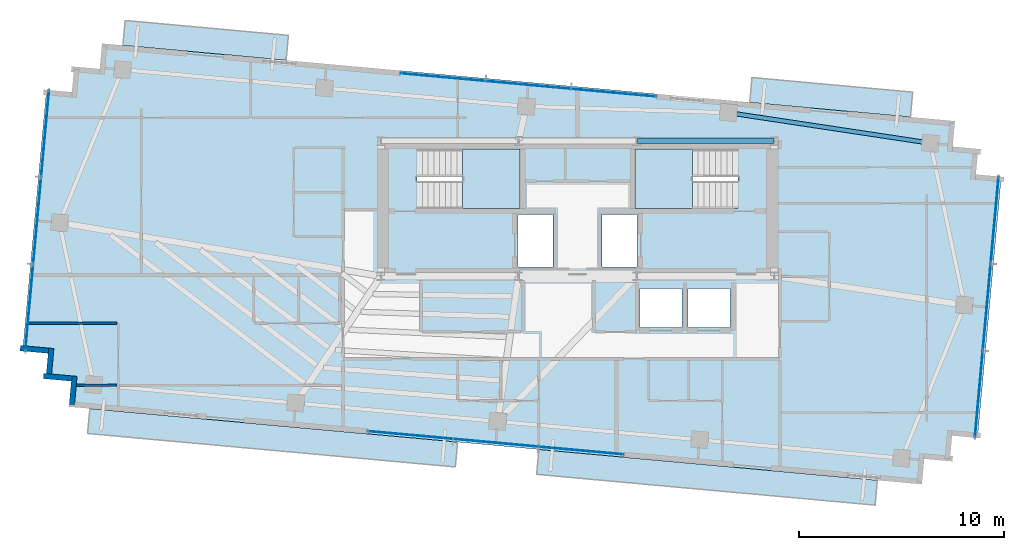
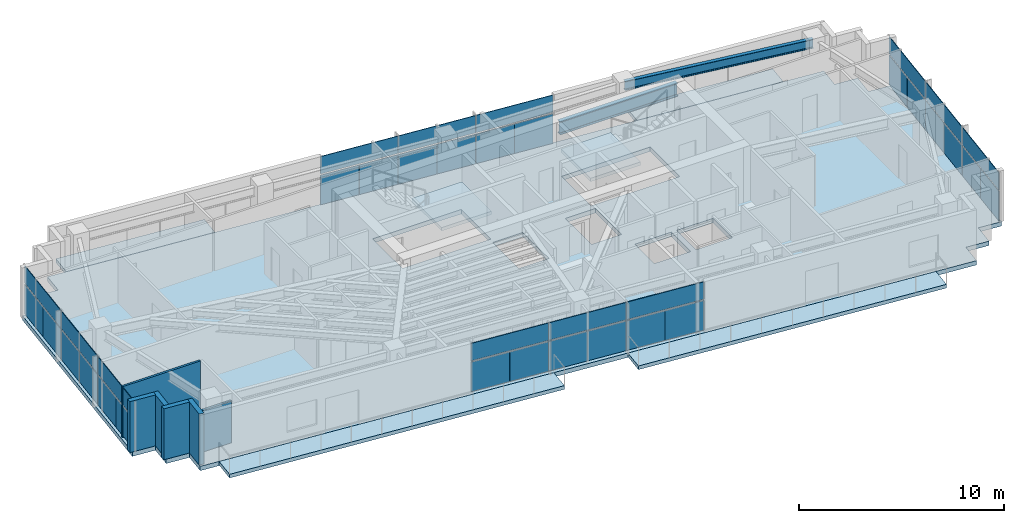
# One storey, part 15 of 22: 36 plates, 7 slabs, 6 walls, 2 beams, 6 elements without a shape of their own.
"""IFC4 building model written with IfcOpenShell, lengths in metres."""

from ifc_helpers import new_model, si_unit, direction, frame, frame_2d, origin, origin_2d, place, context, subcontext, project, spatial, polyline, rectangle, i_section, outline, extrude, source, transform, mapped, material, layer, layer_set, material_profile, profile_set, type_object, type_shapes, element, aggregate, save


model = new_model("IFC4")

# Units and contexts
model_context = context("Model", 3, precision=1e-05, world=origin(), true_north=direction((0.0, 1.0)))
body_context = subcontext(model_context, "Body", "Model", "MODEL_VIEW")
ifc_project = project(units=[si_unit("LENGTHUNIT", "METRE"), si_unit("AREAUNIT", "SQUARE_METRE"), si_unit("VOLUMEUNIT", "CUBIC_METRE"), si_unit("PLANEANGLEUNIT", "RADIAN"), si_unit("MASSUNIT", "GRAM", prefix="KILO")], contexts=[model_context])

# Site, building, storey
site_placement = place(None, origin())
site = spatial("IfcSite", under=ifc_project, at=site_placement, CompositionType="ELEMENT")
building_placement = place(site_placement, origin())
building = spatial("IfcBuilding", under=site, at=building_placement, Name="Astriad Promenade Condominiums", CompositionType="ELEMENT")
storey_placement = place(building_placement, frame((0.0, 0.0, 223.199951171875)))
storey = spatial("IfcBuildingStorey", under=building, at=storey_placement, Name="L64", CompositionType="ELEMENT", Elevation=223.199951171875)

# Beams
ifc_material_1 = material(Name="Steel ASTM A992 Grade 50", Category="steel")
ifc_material_profile_1 = material_profile(ifc_material_1, i_section(OverallWidth=0.267822265625, OverallDepth=0.76953125, WebThickness=0.015625, FlangeThickness=0.025390625, FilletRadius=0.021484375, at=origin_2d()), Name="W30X132")
ifc_profile_set_1 = profile_set([ifc_material_profile_1], Name="Steel ASTM A992 Grade 50")
beam_type_1 = type_object("IfcBeamType", Name="STEEL FLOOR GIRDER W30X132", PredefinedType="BEAM", material=ifc_profile_set_1)
shared_shape_1 = source(origin(), body_context, "Body", "SweptSolid", [
    extrude(i_section(OverallWidth=0.267822265625, OverallDepth=0.76953125, WebThickness=0.015625, FlangeThickness=0.025390625, FilletRadius=0.021484375, at=origin_2d()), origin(), (0.0, 0.0, 1.0), 6.64013671875),
])
type_shapes(beam_type_1, [shared_shape_1])
beam_1_placement = place(storey_placement, frame((38.919921875, 24.0, 2.6552734375), z_axis=(1.0, 0.0, 0.0), x_axis=(0.0, 1.0, 0.0)))
element("IfcBeam", 1, at=beam_1_placement, inside=storey, type_object=beam_type_1, Name="Core Ring Beam CG-N3-L64", PredefinedType="BEAM", context=body_context, shape_type="MappedRepresentation", body=[
    mapped(shared_shape_1, transform((0.0, 0.0, 0.0), scale=1.0)),
])
ifc_material_profile_2 = material_profile(ifc_material_1, i_section(OverallWidth=0.210693359375, OverallDepth=0.53955078125, WebThickness=0.01171875, FlangeThickness=0.018798828125, FilletRadius=0.0166015625, at=origin_2d()), Name="W21X73")
ifc_profile_set_2 = profile_set([ifc_material_profile_2], Name="Steel ASTM A992 Grade 50")
beam_type_2 = type_object("IfcBeamType", Name="STEEL SPANDREL BEAM W21X73", PredefinedType="SPANDREL", material=ifc_profile_set_2)
shared_shape_2 = source(origin(), body_context, "Body", "SweptSolid", [
    extrude(i_section(OverallWidth=0.210693359375, OverallDepth=0.53955078125, WebThickness=0.01171875, FlangeThickness=0.018798828125, FilletRadius=0.0166015625, at=origin_2d()), origin(), (0.0, 0.0, 1.0), 9.890869140625),
])
type_shapes(beam_type_2, [shared_shape_2])
beam_2_placement = place(storey_placement, frame((53.1787109375, 23.899658203125, 2.770263671875), z_axis=(-0.988827455442, 0.149064628143, 0.0), x_axis=(-0.149064628143, -0.988827455442, 0.0)))
element("IfcBeam", 2, at=beam_2_placement, inside=storey, type_object=beam_type_2, Name="Perimeter Spandrel Beam SP-N4-L64", PredefinedType="SPANDREL", context=body_context, shape_type="MappedRepresentation", body=[
    mapped(shared_shape_2, transform((0.0, 0.0, 0.0), scale=1.0)),
])

# Slab
ifc_material_2 = material(Name="Concrete C50/60", Category="concrete")
ifc_layer_1 = layer(ifc_material_2, 0.260009765625)
ifc_layer_set_1 = layer_set([ifc_layer_1], Name="Concrete C50/60")
slab_type_1 = type_object("IfcSlabType", Name="CONCRETE TOWER FLOOR SLAB 260", PredefinedType="FLOOR", material=ifc_layer_set_1)
slab_1_placement = place(storey_placement, frame((0.0, 0.0, -0.260009765625)))
element("IfcSlab", 3, at=slab_1_placement, inside=storey, type_object=slab_type_1, Name="Structural Floor Slab (L64)", PredefinedType="FLOOR", context=body_context, shape_type="SweptSolid", body=[
    extrude(outline(polyline([(11.179443359375, 11.03076171875), (52.807373046875, 7.242431640625), (52.920654296875, 8.4873046875), (54.16552734375, 8.3740234375), (54.27880859375, 9.618896484375), (55.523681640625, 9.505615234375), (56.68359375, 22.2529296875), (55.43896484375, 22.3662109375), (55.55224609375, 23.611083984375), (54.307373046875, 23.724365234375), (54.420654296875, 24.96923828125), (12.79248046875, 28.757568359375), (12.679443359375, 27.5126953125), (11.4345703125, 27.6259765625), (11.3212890625, 26.381103515625), (10.076416015625, 26.494384765625), (8.916259765625, 13.7470703125), (10.1611328125, 13.6337890625), (10.0478515625, 12.388916015625), (11.292724609375, 12.275634765625), (11.179443359375, 11.03076171875)]), holes=[polyline([(28.175048828125, 20.699951171875), (33.175048828125, 20.699951171875), (33.175048828125, 23.60009765625), (28.175048828125, 23.60009765625), (28.175048828125, 20.699951171875)]), polyline([(38.824951171875, 20.699951171875), (43.824951171875, 20.699951171875), (43.824951171875, 23.60009765625), (38.824951171875, 23.60009765625), (38.824951171875, 20.699951171875)]), polyline([(33.10009765625, 17.85009765625), (34.800048828125, 17.85009765625), (34.800048828125, 20.39990234375), (33.10009765625, 20.39990234375), (33.10009765625, 17.85009765625)]), polyline([(37.199951171875, 17.85009765625), (38.89990234375, 17.85009765625), (38.89990234375, 20.39990234375), (37.199951171875, 20.39990234375), (37.199951171875, 17.85009765625)]), polyline([(39.050048828125, 14.89990234375), (41.10009765625, 14.89990234375), (41.10009765625, 16.800048828125), (39.050048828125, 16.800048828125), (39.050048828125, 14.89990234375)]), polyline([(41.39990234375, 14.89990234375), (43.449951171875, 14.89990234375), (43.449951171875, 16.800048828125), (41.39990234375, 16.800048828125), (41.39990234375, 14.89990234375)])]), origin(), (0.0, 0.0, 1.0), 0.260009765625),
])

# Stair, slab
stair_type = type_object("IfcStairType", Name="STR-CORE-1350", PredefinedType="HALF_TURN_STAIR", material=ifc_material_2)
stair_1_placement = place(storey_placement, origin())
stair_1 = element("IfcStair", 4, at=stair_1_placement, inside=storey, type_object=stair_type, Name="L64 Enclosed Core Exit Stair ST-1", PredefinedType="HALF_TURN_STAIR")
ifc_layer_2 = layer(ifc_material_2, 0.219970703125)
ifc_layer_set_2 = layer_set([ifc_layer_2], Name="Concrete C50/60")
slab_type_2 = type_object("IfcSlabType", Name="SLB-LANDING-220", PredefinedType="LANDING", material=ifc_layer_set_2)
slab_2_placement = place(storey_placement, frame((0.0, 0.0, 1.449951171875)))
slab_2 = element("IfcSlab", 5, at=slab_2_placement, type_object=slab_type_2, Name="ST-1 landing 1", PredefinedType="LANDING", context=body_context, shape_type="SweptSolid", body=[
    extrude(outline(polyline([(30.389892578125, 20.699951171875), (33.199951171875, 20.699951171875), (33.199951171875, 23.60009765625), (30.389892578125, 23.60009765625), (30.389892578125, 20.699951171875)])), origin(), (0.0, 0.0, 1.0), 0.2001953125),
])
aggregate(stair_1, [slab_2])

stair_2_placement = place(storey_placement, origin())
stair_2 = element("IfcStair", 6, at=stair_2_placement, inside=storey, type_object=stair_type, Name="L64 Enclosed Core Exit Stair ST-2", PredefinedType="HALF_TURN_STAIR")
slab_3_placement = place(storey_placement, frame((0.0, 0.0, 1.449951171875)))
slab_3 = element("IfcSlab", 7, at=slab_3_placement, type_object=slab_type_2, Name="ST-2 landing 1", PredefinedType="LANDING", context=body_context, shape_type="SweptSolid", body=[
    extrude(outline(polyline([(41.610107421875, 23.60009765625), (38.800048828125, 23.60009765625), (38.800048828125, 20.699951171875), (41.610107421875, 20.699951171875), (41.610107421875, 23.60009765625)])), origin(), (0.0, 0.0, 1.0), 0.2001953125),
])
aggregate(stair_2, [slab_3])

# Slabs
ifc_material_3 = material(Name="Precast concrete C50/60", Category="concrete")
ifc_layer_3 = layer(ifc_material_3, 0.219970703125)
ifc_layer_set_3 = layer_set([ifc_layer_3], Name="Precast concrete C50/60")
slab_type_3 = type_object("IfcSlabType", Name="WHITE PRECAST CONCRETE WAVE BALCONY SLAB 220", PredefinedType="FLOOR", material=ifc_layer_set_3)
slab_4_placement = place(storey_placement, frame((0.0, 0.0, -0.219970703125)))
element("IfcSlab", 8, at=slab_4_placement, inside=storey, type_object=slab_type_3, Name="White Precast Wave Balcony Slab BAL-L64-SW", PredefinedType="FLOOR", context=body_context, shape_type="SweptSolid", body=[
    extrude(outline(polyline([(30.034423828125, 8.08984375), (12.08349609375, 9.723388671875), (12.194091796875, 10.9365234375), (30.144775390625, 9.302734375), (30.034423828125, 8.08984375)])), origin(), (0.0, 0.0, 1.0), 0.219970703125),
])
slab_5_placement = place(storey_placement, frame((0.0, 0.0, -0.219970703125)))
element("IfcSlab", 9, at=slab_5_placement, inside=storey, type_object=slab_type_3, Name="White Precast Wave Balcony Slab BAL-L64-SE", PredefinedType="FLOOR", context=body_context, shape_type="SweptSolid", body=[
    extrude(outline(polyline([(50.520751953125, 6.2255859375), (34.001953125, 7.728759765625), (34.1123046875, 8.941650390625), (50.631103515625, 7.4384765625), (50.520751953125, 6.2255859375)])), origin(), (0.0, 0.0, 1.0), 0.219970703125),
])
slab_6_placement = place(storey_placement, frame((0.0, 0.0, -0.219970703125)))
element("IfcSlab", 10, at=slab_6_placement, inside=storey, type_object=slab_type_3, Name="White Precast Wave Balcony Slab BAL-L64-NW", PredefinedType="FLOOR", context=body_context, shape_type="SweptSolid", body=[
    extrude(outline(polyline([(13.91796875, 29.880126953125), (21.885986328125, 29.155029296875), (21.775634765625, 27.942138671875), (13.8076171875, 28.667236328125), (13.91796875, 29.880126953125)])), origin(), (0.0, 0.0, 1.0), 0.219970703125),
])
slab_7_placement = place(storey_placement, frame((0.0, 0.0, -0.219970703125)))
element("IfcSlab", 11, at=slab_7_placement, inside=storey, type_object=slab_type_3, Name="White Precast Wave Balcony Slab BAL-L64-NE", PredefinedType="FLOOR", context=body_context, shape_type="SweptSolid", body=[
    extrude(outline(polyline([(44.5126953125, 27.095947265625), (52.355224609375, 26.382080078125), (52.244873046875, 25.169189453125), (44.402099609375, 25.8828125), (44.5126953125, 27.095947265625)])), origin(), (0.0, 0.0, 1.0), 0.219970703125),
])

# Curtain wall, plates
ifc_material_4 = material(Name="Anodised aluminium Black Dark Glass Unitised", Category="aluminium")
curtain_wall_type = type_object("IfcCurtainWallType", Name="CW-B5-DARK", PredefinedType="USERDEFINED", material=ifc_material_4)
curtain_wall_1_placement = place(storey_placement, origin())
curtain_wall_1 = element("IfcCurtainWall", 12, at=curtain_wall_1_placement, inside=storey, type_object=curtain_wall_type, Name="CW-L64-W", ObjectType="UNITISED_CURTAIN_WALL", PredefinedType="USERDEFINED")
ifc_material_5 = material(Name="Dark Tinted Low-E Laminated Glass", Category="glass")
ifc_layer_4 = layer(ifc_material_5, 0.035888671875)
ifc_layer_set_4 = layer_set([ifc_layer_4], Name="Dark Tinted Low-E Laminated Glass")
plate_type = type_object("IfcPlateType", Name="PNL-DARK-GLASS-36", PredefinedType="CURTAIN_PANEL", material=ifc_layer_set_4)
shared_shape_3 = source(origin(), body_context, "Body", "SweptSolid", [
    extrude(rectangle(XDim=2.121337890625, YDim=0.035888671875, at=origin_2d()), origin(), (0.0, 0.0, 1.0), 1.764892578125),
])
plate_1_placement = place(storey_placement, frame((9.142578125, 14.797607421875, 0.080078125), z_axis=(0.0, 0.0, 1.0), x_axis=(0.090632580198, 0.995884398616, 0.0)))
plate_1 = element("IfcPlate", 13, at=plate_1_placement, type_object=plate_type, Name="CW-L64-W-PNL-00-VL", PredefinedType="CURTAIN_PANEL", context=body_context, shape_type="MappedRepresentation", body=[
    mapped(shared_shape_3, transform((0.0, 0.0, 0.0), scale=1.0)),
])
plate_2_placement = place(storey_placement, frame((9.335693359375, 16.922119140625, 0.080078125), z_axis=(0.0, 0.0, 1.0), x_axis=(0.090632580198, 0.995884398616, 0.0)))
plate_2 = element("IfcPlate", 14, at=plate_2_placement, type_object=plate_type, Name="CW-L64-W-PNL-00-VR", PredefinedType="CURTAIN_PANEL", context=body_context, shape_type="MappedRepresentation", body=[
    mapped(shared_shape_3, transform((0.0, 0.0, 0.0), scale=1.0)),
])
plate_3_placement = place(storey_placement, frame((9.529296875, 19.046630859375, 0.080078125), z_axis=(0.0, 0.0, 1.0), x_axis=(0.090632580198, 0.995884398616, 0.0)))
plate_3 = element("IfcPlate", 15, at=plate_3_placement, type_object=plate_type, Name="CW-L64-W-PNL-01-VL", PredefinedType="CURTAIN_PANEL", context=body_context, shape_type="MappedRepresentation", body=[
    mapped(shared_shape_3, transform((0.0, 0.0, 0.0), scale=1.0)),
])
plate_4_placement = place(storey_placement, frame((9.722412109375, 21.17138671875, 0.080078125), z_axis=(0.0, 0.0, 1.0), x_axis=(0.090632580198, 0.995884398616, 0.0)))
plate_4 = element("IfcPlate", 16, at=plate_4_placement, type_object=plate_type, Name="CW-L64-W-PNL-01-VR", PredefinedType="CURTAIN_PANEL", context=body_context, shape_type="MappedRepresentation", body=[
    mapped(shared_shape_3, transform((0.0, 0.0, 0.0), scale=1.0)),
])
plate_5_placement = place(storey_placement, frame((9.916015625, 23.2958984375, 0.080078125), z_axis=(0.0, 0.0, 1.0), x_axis=(0.090632580198, 0.995884398616, 0.0)))
plate_5 = element("IfcPlate", 17, at=plate_5_placement, type_object=plate_type, Name="CW-L64-W-PNL-02-VL", PredefinedType="CURTAIN_PANEL", context=body_context, shape_type="MappedRepresentation", body=[
    mapped(shared_shape_3, transform((0.0, 0.0, 0.0), scale=1.0)),
])
plate_6_placement = place(storey_placement, frame((10.109130859375, 25.42041015625, 0.080078125), z_axis=(0.0, 0.0, 1.0), x_axis=(0.090632580198, 0.995884398616, 0.0)))
plate_6 = element("IfcPlate", 18, at=plate_6_placement, type_object=plate_type, Name="CW-L64-W-PNL-02-VR", PredefinedType="CURTAIN_PANEL", context=body_context, shape_type="MappedRepresentation", body=[
    mapped(shared_shape_3, transform((0.0, 0.0, 0.0), scale=1.0)),
])

curtain_wall_2_placement = place(storey_placement, origin())
curtain_wall_2 = element("IfcCurtainWall", 19, at=curtain_wall_2_placement, inside=storey, type_object=curtain_wall_type, Name="CW-L64-E", ObjectType="UNITISED_CURTAIN_WALL", PredefinedType="USERDEFINED")
plate_7_placement = place(storey_placement, frame((56.45751953125, 21.202392578125, 0.080078125), z_axis=(0.0, 0.0, 1.0), x_axis=(-0.090632580198, -0.995884398616, 0.0)))
plate_7 = element("IfcPlate", 20, at=plate_7_placement, type_object=plate_type, Name="CW-L64-E-PNL-00-VL", PredefinedType="CURTAIN_PANEL", context=body_context, shape_type="MappedRepresentation", body=[
    mapped(shared_shape_3, transform((0.0, 0.0, 0.0), scale=1.0)),
])
plate_8_placement = place(storey_placement, frame((56.26416015625, 19.077880859375, 0.080078125), z_axis=(0.0, 0.0, 1.0), x_axis=(-0.090632580198, -0.995884398616, 0.0)))
plate_8 = element("IfcPlate", 21, at=plate_8_placement, type_object=plate_type, Name="CW-L64-E-PNL-00-VR", PredefinedType="CURTAIN_PANEL", context=body_context, shape_type="MappedRepresentation", body=[
    mapped(shared_shape_3, transform((0.0, 0.0, 0.0), scale=1.0)),
])
plate_9_placement = place(storey_placement, frame((56.07080078125, 16.953369140625, 0.080078125), z_axis=(0.0, 0.0, 1.0), x_axis=(-0.090632580198, -0.995884398616, 0.0)))
plate_9 = element("IfcPlate", 22, at=plate_9_placement, type_object=plate_type, Name="CW-L64-E-PNL-01-VL", PredefinedType="CURTAIN_PANEL", context=body_context, shape_type="MappedRepresentation", body=[
    mapped(shared_shape_3, transform((0.0, 0.0, 0.0), scale=1.0)),
])
plate_10_placement = place(storey_placement, frame((55.87744140625, 14.82861328125, 0.080078125), z_axis=(0.0, 0.0, 1.0), x_axis=(-0.090632580198, -0.995884398616, 0.0)))
plate_10 = element("IfcPlate", 23, at=plate_10_placement, type_object=plate_type, Name="CW-L64-E-PNL-01-VR", PredefinedType="CURTAIN_PANEL", context=body_context, shape_type="MappedRepresentation", body=[
    mapped(shared_shape_3, transform((0.0, 0.0, 0.0), scale=1.0)),
])
plate_11_placement = place(storey_placement, frame((55.68408203125, 12.7041015625, 0.080078125), z_axis=(0.0, 0.0, 1.0), x_axis=(-0.090632580198, -0.995884398616, 0.0)))
plate_11 = element("IfcPlate", 24, at=plate_11_placement, type_object=plate_type, Name="CW-L64-E-PNL-02-VL", PredefinedType="CURTAIN_PANEL", context=body_context, shape_type="MappedRepresentation", body=[
    mapped(shared_shape_3, transform((0.0, 0.0, 0.0), scale=1.0)),
])
plate_12_placement = place(storey_placement, frame((55.49072265625, 10.57958984375, 0.080078125), z_axis=(0.0, 0.0, 1.0), x_axis=(-0.090632580198, -0.995884398616, 0.0)))
plate_12 = element("IfcPlate", 25, at=plate_12_placement, type_object=plate_type, Name="CW-L64-E-PNL-02-VR", PredefinedType="CURTAIN_PANEL", context=body_context, shape_type="MappedRepresentation", body=[
    mapped(shared_shape_3, transform((0.0, 0.0, 0.0), scale=1.0)),
])

# Plate
shared_shape_4 = source(origin(), body_context, "Body", "SweptSolid", [
    extrude(rectangle(XDim=4.254638671875, YDim=0.035888671875, at=origin_2d()), origin(), (0.0, 0.0, 1.0), 1.03515625),
])
plate_13_placement = place(storey_placement, frame((9.239013671875, 15.85986328125, 1.9248046875), z_axis=(0.0, 0.0, 1.0), x_axis=(0.090632580198, 0.995884398616, 0.0)))
plate_13 = element("IfcPlate", 26, at=plate_13_placement, type_object=plate_type, Name="CW-L64-W-PNL-00-S", PredefinedType="CURTAIN_PANEL", context=body_context, shape_type="MappedRepresentation", body=[
    mapped(shared_shape_4, transform((0.0, 0.0, 0.0), scale=1.0)),
])

plate_14_placement = place(storey_placement, frame((9.625732421875, 20.10888671875, 1.9248046875), z_axis=(0.0, 0.0, 1.0), x_axis=(0.090632580198, 0.995884398616, 0.0)))
plate_14 = element("IfcPlate", 27, at=plate_14_placement, type_object=plate_type, Name="CW-L64-W-PNL-01-S", PredefinedType="CURTAIN_PANEL", context=body_context, shape_type="MappedRepresentation", body=[
    mapped(shared_shape_4, transform((0.0, 0.0, 0.0), scale=1.0)),
])

plate_15_placement = place(storey_placement, frame((10.0126953125, 24.358154296875, 1.9248046875), z_axis=(0.0, 0.0, 1.0), x_axis=(0.090632580198, 0.995884398616, 0.0)))
plate_15 = element("IfcPlate", 28, at=plate_15_placement, type_object=plate_type, Name="CW-L64-W-PNL-02-S", PredefinedType="CURTAIN_PANEL", context=body_context, shape_type="MappedRepresentation", body=[
    mapped(shared_shape_4, transform((0.0, 0.0, 0.0), scale=1.0)),
])

aggregate(curtain_wall_1, [plate_1, plate_2, plate_13, plate_3, plate_4, plate_14, plate_5, plate_6, plate_15])

plate_16_placement = place(storey_placement, frame((56.36083984375, 20.14013671875, 1.9248046875), z_axis=(0.0, 0.0, 1.0), x_axis=(-0.090632580198, -0.995884398616, 0.0)))
plate_16 = element("IfcPlate", 29, at=plate_16_placement, type_object=plate_type, Name="CW-L64-E-PNL-00-S", PredefinedType="CURTAIN_PANEL", context=body_context, shape_type="MappedRepresentation", body=[
    mapped(shared_shape_4, transform((0.0, 0.0, 0.0), scale=1.0)),
])

plate_17_placement = place(storey_placement, frame((55.97412109375, 15.89111328125, 1.9248046875), z_axis=(0.0, 0.0, 1.0), x_axis=(-0.090632580198, -0.995884398616, 0.0)))
plate_17 = element("IfcPlate", 30, at=plate_17_placement, type_object=plate_type, Name="CW-L64-E-PNL-01-S", PredefinedType="CURTAIN_PANEL", context=body_context, shape_type="MappedRepresentation", body=[
    mapped(shared_shape_4, transform((0.0, 0.0, 0.0), scale=1.0)),
])

plate_18_placement = place(storey_placement, frame((55.58740234375, 11.641845703125, 1.9248046875), z_axis=(0.0, 0.0, 1.0), x_axis=(-0.090632580198, -0.995884398616, 0.0)))
plate_18 = element("IfcPlate", 31, at=plate_18_placement, type_object=plate_type, Name="CW-L64-E-PNL-02-S", PredefinedType="CURTAIN_PANEL", context=body_context, shape_type="MappedRepresentation", body=[
    mapped(shared_shape_4, transform((0.0, 0.0, 0.0), scale=1.0)),
])

aggregate(curtain_wall_2, [plate_7, plate_8, plate_16, plate_9, plate_10, plate_17, plate_11, plate_12, plate_18])

# Curtain wall, plates
curtain_wall_3_placement = place(storey_placement, origin())
curtain_wall_3 = element("IfcCurtainWall", 32, at=curtain_wall_3_placement, inside=storey, type_object=curtain_wall_type, Name="CW-L64-N", ObjectType="UNITISED_CURTAIN_WALL", PredefinedType="USERDEFINED")
shared_shape_5 = source(origin(), body_context, "Body", "SweptSolid", [
    extrude(rectangle(XDim=2.077880859375, YDim=0.035888671875, at=origin_2d()), origin(), (0.0, 0.0, 1.0), 1.764892578125),
])
plate_19_placement = place(storey_placement, frame((28.391357421875, 27.20751953125, 0.080078125), z_axis=(0.0, 0.0, 1.0), x_axis=(0.995884398616, -0.090632580198, 0.0)))
plate_19 = element("IfcPlate", 33, at=plate_19_placement, type_object=plate_type, Name="CW-L64-N-PNL-00-VL", PredefinedType="CURTAIN_PANEL", context=body_context, shape_type="MappedRepresentation", body=[
    mapped(shared_shape_5, transform((0.0, 0.0, 0.0), scale=1.0)),
])
plate_20_placement = place(storey_placement, frame((30.47265625, 27.01806640625, 0.080078125), z_axis=(0.0, 0.0, 1.0), x_axis=(0.995884398616, -0.090632580198, 0.0)))
plate_20 = element("IfcPlate", 34, at=plate_20_placement, type_object=plate_type, Name="CW-L64-N-PNL-00-VR", PredefinedType="CURTAIN_PANEL", context=body_context, shape_type="MappedRepresentation", body=[
    mapped(shared_shape_5, transform((0.0, 0.0, 0.0), scale=1.0)),
])
plate_21_placement = place(storey_placement, frame((32.55419921875, 26.82861328125, 0.080078125), z_axis=(0.0, 0.0, 1.0), x_axis=(0.995884398616, -0.090632580198, 0.0)))
plate_21 = element("IfcPlate", 35, at=plate_21_placement, type_object=plate_type, Name="CW-L64-N-PNL-01-VL", PredefinedType="CURTAIN_PANEL", context=body_context, shape_type="MappedRepresentation", body=[
    mapped(shared_shape_5, transform((0.0, 0.0, 0.0), scale=1.0)),
])
plate_22_placement = place(storey_placement, frame((34.635498046875, 26.63916015625, 0.080078125), z_axis=(0.0, 0.0, 1.0), x_axis=(0.995884398616, -0.090632580198, 0.0)))
plate_22 = element("IfcPlate", 36, at=plate_22_placement, type_object=plate_type, Name="CW-L64-N-PNL-01-VR", PredefinedType="CURTAIN_PANEL", context=body_context, shape_type="MappedRepresentation", body=[
    mapped(shared_shape_5, transform((0.0, 0.0, 0.0), scale=1.0)),
])
plate_23_placement = place(storey_placement, frame((36.716796875, 26.44970703125, 0.080078125), z_axis=(0.0, 0.0, 1.0), x_axis=(0.995884398616, -0.090632580198, 0.0)))
plate_23 = element("IfcPlate", 37, at=plate_23_placement, type_object=plate_type, Name="CW-L64-N-PNL-02-VL", PredefinedType="CURTAIN_PANEL", context=body_context, shape_type="MappedRepresentation", body=[
    mapped(shared_shape_5, transform((0.0, 0.0, 0.0), scale=1.0)),
])
plate_24_placement = place(storey_placement, frame((38.79833984375, 26.26025390625, 0.080078125), z_axis=(0.0, 0.0, 1.0), x_axis=(0.995884398616, -0.090632580198, 0.0)))
plate_24 = element("IfcPlate", 38, at=plate_24_placement, type_object=plate_type, Name="CW-L64-N-PNL-02-VR", PredefinedType="CURTAIN_PANEL", context=body_context, shape_type="MappedRepresentation", body=[
    mapped(shared_shape_5, transform((0.0, 0.0, 0.0), scale=1.0)),
])

curtain_wall_4_placement = place(storey_placement, origin())
curtain_wall_4 = element("IfcCurtainWall", 39, at=curtain_wall_4_placement, inside=storey, type_object=curtain_wall_type, Name="CW-L64-S", ObjectType="UNITISED_CURTAIN_WALL", PredefinedType="USERDEFINED")
plate_25_placement = place(storey_placement, frame((37.208740234375, 8.79248046875, 0.080078125), z_axis=(0.0, 0.0, 1.0), x_axis=(-0.995884398616, 0.090632580198, 0.0)))
plate_25 = element("IfcPlate", 40, at=plate_25_placement, type_object=plate_type, Name="CW-L64-S-PNL-00-VL", PredefinedType="CURTAIN_PANEL", context=body_context, shape_type="MappedRepresentation", body=[
    mapped(shared_shape_5, transform((0.0, 0.0, 0.0), scale=1.0)),
])
plate_26_placement = place(storey_placement, frame((35.127197265625, 8.98193359375, 0.080078125), z_axis=(0.0, 0.0, 1.0), x_axis=(-0.995884398616, 0.090632580198, 0.0)))
plate_26 = element("IfcPlate", 41, at=plate_26_placement, type_object=plate_type, Name="CW-L64-S-PNL-00-VR", PredefinedType="CURTAIN_PANEL", context=body_context, shape_type="MappedRepresentation", body=[
    mapped(shared_shape_5, transform((0.0, 0.0, 0.0), scale=1.0)),
])
plate_27_placement = place(storey_placement, frame((33.0458984375, 9.17138671875, 0.080078125), z_axis=(0.0, 0.0, 1.0), x_axis=(-0.995884398616, 0.090632580198, 0.0)))
plate_27 = element("IfcPlate", 42, at=plate_27_placement, type_object=plate_type, Name="CW-L64-S-PNL-01-VL", PredefinedType="CURTAIN_PANEL", context=body_context, shape_type="MappedRepresentation", body=[
    mapped(shared_shape_5, transform((0.0, 0.0, 0.0), scale=1.0)),
])
plate_28_placement = place(storey_placement, frame((30.964599609375, 9.36083984375, 0.080078125), z_axis=(0.0, 0.0, 1.0), x_axis=(-0.995884398616, 0.090632580198, 0.0)))
plate_28 = element("IfcPlate", 43, at=plate_28_placement, type_object=plate_type, Name="CW-L64-S-PNL-01-VR", PredefinedType="CURTAIN_PANEL", context=body_context, shape_type="MappedRepresentation", body=[
    mapped(shared_shape_5, transform((0.0, 0.0, 0.0), scale=1.0)),
])
plate_29_placement = place(storey_placement, frame((28.883056640625, 9.55029296875, 0.080078125), z_axis=(0.0, 0.0, 1.0), x_axis=(-0.995884398616, 0.090632580198, 0.0)))
plate_29 = element("IfcPlate", 44, at=plate_29_placement, type_object=plate_type, Name="CW-L64-S-PNL-02-VL", PredefinedType="CURTAIN_PANEL", context=body_context, shape_type="MappedRepresentation", body=[
    mapped(shared_shape_5, transform((0.0, 0.0, 0.0), scale=1.0)),
])
plate_30_placement = place(storey_placement, frame((26.8017578125, 9.73974609375, 0.080078125), z_axis=(0.0, 0.0, 1.0), x_axis=(-0.995884398616, 0.090632580198, 0.0)))
plate_30 = element("IfcPlate", 45, at=plate_30_placement, type_object=plate_type, Name="CW-L64-S-PNL-02-VR", PredefinedType="CURTAIN_PANEL", context=body_context, shape_type="MappedRepresentation", body=[
    mapped(shared_shape_5, transform((0.0, 0.0, 0.0), scale=1.0)),
])

# Plate
shared_shape_6 = source(origin(), body_context, "Body", "SweptSolid", [
    extrude(rectangle(XDim=4.16796875, YDim=0.035888671875, at=origin_2d()), origin(), (0.0, 0.0, 1.0), 1.03515625),
])
type_shapes(plate_type, [shared_shape_3, shared_shape_4, shared_shape_5, shared_shape_6])
plate_31_placement = place(storey_placement, frame((29.431884765625, 27.11279296875, 1.9248046875), z_axis=(0.0, 0.0, 1.0), x_axis=(0.995884398616, -0.090632580198, 0.0)))
plate_31 = element("IfcPlate", 46, at=plate_31_placement, type_object=plate_type, Name="CW-L64-N-PNL-00-S", PredefinedType="CURTAIN_PANEL", context=body_context, shape_type="MappedRepresentation", body=[
    mapped(shared_shape_6, transform((0.0, 0.0, 0.0), scale=1.0)),
])

plate_32_placement = place(storey_placement, frame((33.5947265625, 26.73388671875, 1.9248046875), z_axis=(0.0, 0.0, 1.0), x_axis=(0.995884398616, -0.090632580198, 0.0)))
plate_32 = element("IfcPlate", 47, at=plate_32_placement, type_object=plate_type, Name="CW-L64-N-PNL-01-S", PredefinedType="CURTAIN_PANEL", context=body_context, shape_type="MappedRepresentation", body=[
    mapped(shared_shape_6, transform((0.0, 0.0, 0.0), scale=1.0)),
])

plate_33_placement = place(storey_placement, frame((37.757568359375, 26.35498046875, 1.9248046875), z_axis=(0.0, 0.0, 1.0), x_axis=(0.995884398616, -0.090632580198, 0.0)))
plate_33 = element("IfcPlate", 48, at=plate_33_placement, type_object=plate_type, Name="CW-L64-N-PNL-02-S", PredefinedType="CURTAIN_PANEL", context=body_context, shape_type="MappedRepresentation", body=[
    mapped(shared_shape_6, transform((0.0, 0.0, 0.0), scale=1.0)),
])

aggregate(curtain_wall_3, [plate_19, plate_20, plate_31, plate_21, plate_22, plate_32, plate_23, plate_24, plate_33])

plate_34_placement = place(storey_placement, frame((36.16796875, 8.88720703125, 1.9248046875), z_axis=(0.0, 0.0, 1.0), x_axis=(-0.995884398616, 0.090632580198, 0.0)))
plate_34 = element("IfcPlate", 49, at=plate_34_placement, type_object=plate_type, Name="CW-L64-S-PNL-00-S", PredefinedType="CURTAIN_PANEL", context=body_context, shape_type="MappedRepresentation", body=[
    mapped(shared_shape_6, transform((0.0, 0.0, 0.0), scale=1.0)),
])

plate_35_placement = place(storey_placement, frame((32.005126953125, 9.26611328125, 1.9248046875), z_axis=(0.0, 0.0, 1.0), x_axis=(-0.995884398616, 0.090632580198, 0.0)))
plate_35 = element("IfcPlate", 50, at=plate_35_placement, type_object=plate_type, Name="CW-L64-S-PNL-01-S", PredefinedType="CURTAIN_PANEL", context=body_context, shape_type="MappedRepresentation", body=[
    mapped(shared_shape_6, transform((0.0, 0.0, 0.0), scale=1.0)),
])

plate_36_placement = place(storey_placement, frame((27.84228515625, 9.64501953125, 1.9248046875), z_axis=(0.0, 0.0, 1.0), x_axis=(-0.995884398616, 0.090632580198, 0.0)))
plate_36 = element("IfcPlate", 51, at=plate_36_placement, type_object=plate_type, Name="CW-L64-S-PNL-02-S", PredefinedType="CURTAIN_PANEL", context=body_context, shape_type="MappedRepresentation", body=[
    mapped(shared_shape_6, transform((0.0, 0.0, 0.0), scale=1.0)),
])

aggregate(curtain_wall_4, [plate_25, plate_26, plate_34, plate_27, plate_28, plate_35, plate_29, plate_30, plate_36])

# Walls
ifc_layer_5 = layer(ifc_material_3, 0.260009765625)
ifc_layer_set_5 = layer_set([ifc_layer_5], Name="Precast concrete C50/60")
wall_type_1 = type_object("IfcWallType", Name="WALL-EXT-TWR-260", PredefinedType="STANDARD", material=ifc_layer_set_5)
wall_1_placement = place(storey_placement, frame((11.3193359375, 12.40380859375, 0.0), z_axis=(0.0, 0.0, 1.0), x_axis=(-0.995881721538, 0.090661991521, 0.0)))
element("IfcWall", 52, at=wall_1_placement, inside=storey, type_object=wall_type_1, Name="W-SER-L64-00", PredefinedType="STANDARD", context=body_context, shape_type="SweptSolid", body=[
    extrude(rectangle(XDim=1.39501953125, YDim=0.260009765625, at=frame_2d((0.697509765625, 0.0))), origin(), (0.0, 0.0, 1.0), 3.0400390625),
])
wall_2_placement = place(storey_placement, frame((10.187744140625, 12.49169921875, 0.0), z_axis=(0.0, 0.0, 1.0), x_axis=(0.090646191665, 0.995883159782, 0.0)))
element("IfcWall", 53, at=wall_2_placement, inside=storey, type_object=wall_type_1, Name="W-SER-L64-01", PredefinedType="STANDARD", context=body_context, shape_type="SweptSolid", body=[
    extrude(rectangle(XDim=1.395263671875, YDim=0.260009765625, at=frame_2d((0.69775390625, 0.0))), origin(), (0.0, 0.0, 1.0), 3.0400390625),
])
for number, where, z_axis, x_axis, name in (
    (54, (10.187744140625, 13.761962890625, 0.0), (0.0, 0.0, 1.0), (-0.995881721538, 0.090661991521, 0.0), "W-SER-L64-02"),
    (55, (11.3193359375, 11.133544921875, 0.0), (0.0, 0.0, 1.0), (0.090661991521, 0.995881721538, 0.0), "W-SER-L64-19"),
):
    element("IfcWall", number, at=place(storey_placement, frame(where, z_axis=z_axis, x_axis=x_axis)), inside=storey, type_object=wall_type_1, Name=name, PredefinedType="STANDARD", context=body_context, shape_type="SweptSolid", body=[
        extrude(rectangle(XDim=1.39501953125, YDim=0.260009765625, at=frame_2d((0.697509765625, 0.0))), origin(), (0.0, 0.0, 1.0), 3.0400390625),
    ])
ifc_material_6 = material(Name="Acoustic Metal-Stud Gypsum Partition")
ifc_layer_6 = layer(ifc_material_6, 0.1201171875)
ifc_layer_set_6 = layer_set([ifc_layer_6], Name="Acoustic Metal-Stud Gypsum Partition")
wall_type_2 = type_object("IfcWallType", Name="WALL-PART-120", PredefinedType="PARTITIONING", material=ifc_layer_set_6)
wall_3_placement = place(storey_placement, frame((9.119873046875, 15.10009765625, 0.0), z_axis=(0.0, 0.0, 1.0), x_axis=(1.0, 0.0, 0.0)))
element("IfcWall", 56, at=wall_3_placement, inside=storey, type_object=wall_type_2, Name="PT-L64-W1-CAP1H", PredefinedType="PARTITIONING", context=body_context, shape_type="SweptSolid", body=[
    extrude(rectangle(XDim=4.399169921875, YDim=0.1201171875, at=frame_2d((2.19970703125, 0.0))), origin(), (0.0, 0.0, 1.0), 3.0400390625),
])
wall_4_placement = place(storey_placement, frame((11.537353515625, 12.072998046875, 0.0), z_axis=(0.0, 0.0, 1.0), x_axis=(1.0, 0.0, 0.0)))
element("IfcWall", 57, at=wall_4_placement, inside=storey, type_object=wall_type_2, Name="PT-L64-W1-CAPH2", PredefinedType="PARTITIONING", context=body_context, shape_type="SweptSolid", body=[
    extrude(rectangle(XDim=1.981689453125, YDim=0.1201171875, at=frame_2d((0.99072265625, 0.0))), origin(), (0.0, 0.0, 1.0), 2.482666015625),
])

save(model, "model.ifc")
